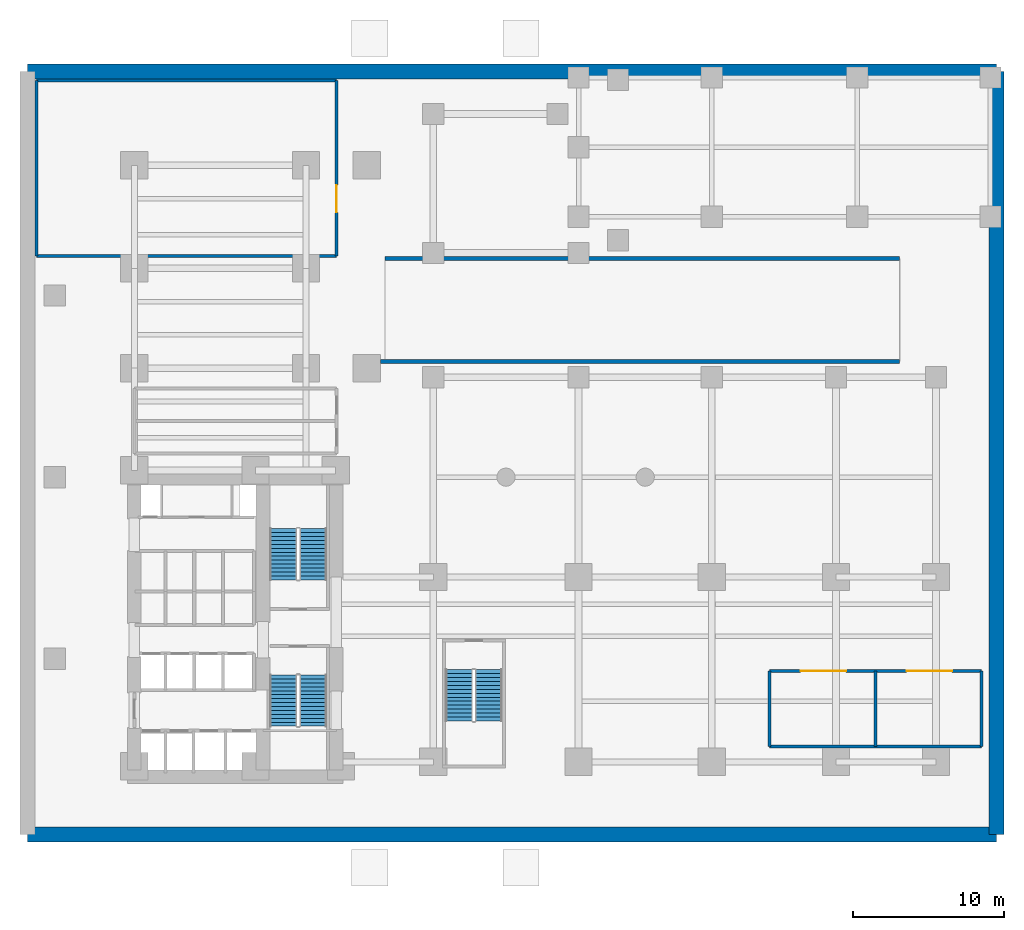
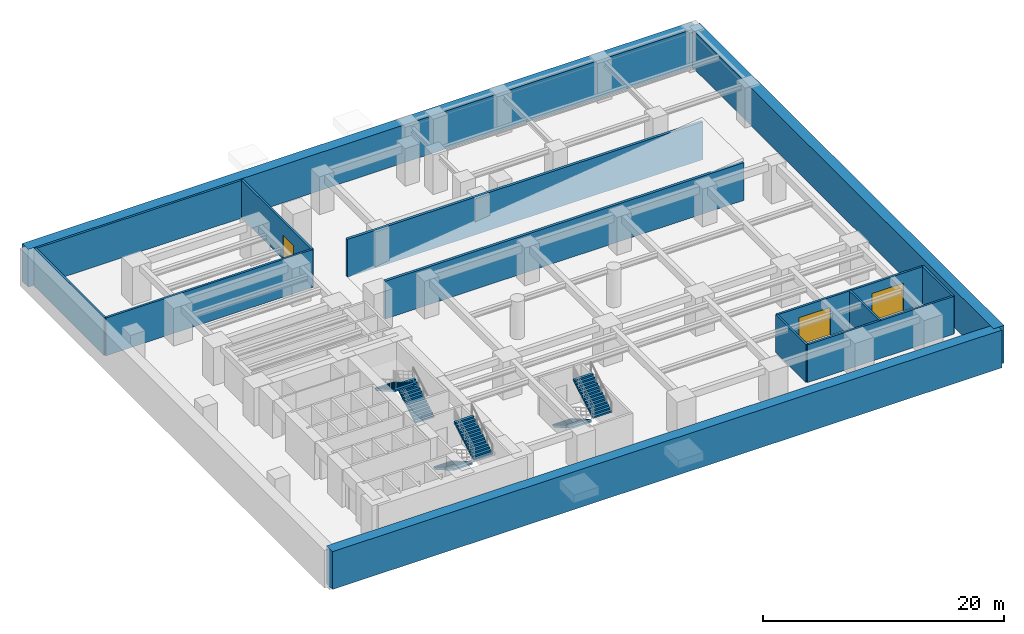
# One storey, part 4 of 5: 14 walls, 6 stair flights, 3 doors, 3 openings, 3 elements without a shape of their own.
"""IFC4 building model written with IfcOpenShell, lengths in metres."""

from ifc_helpers import new_model, si_unit, direction, frame, frame_2d, origin, place, context, subcontext, project, spatial, polyline, rectangle, outline, extrude, material, layer, layer_set, type_object, element, fill, aggregate, save


model = new_model("IFC4")

# Units and contexts
model_context = context("Model", 3, precision=1e-05, world=origin(), true_north=direction((0.0, 1.0)))
body_context = subcontext(model_context, "Body", "Model", "MODEL_VIEW")
ifc_project = project(units=[si_unit("LENGTHUNIT", "METRE"), si_unit("AREAUNIT", "SQUARE_METRE"), si_unit("VOLUMEUNIT", "CUBIC_METRE"), si_unit("PLANEANGLEUNIT", "RADIAN"), si_unit("MASSUNIT", "GRAM", prefix="KILO")], contexts=[model_context])

# Site, building, storey
site_placement = place(None, origin())
site = spatial("IfcSite", under=ifc_project, at=site_placement, CompositionType="ELEMENT")
building_placement = place(site_placement, origin())
building = spatial("IfcBuilding", under=site, at=building_placement, Name="Kolvaren Waterfront Exchange", CompositionType="ELEMENT")
storey_placement = place(building_placement, frame((0.0, 0.0, -4.199951171875)))
storey = spatial("IfcBuildingStorey", under=building, at=storey_placement, Name="B01", CompositionType="ELEMENT", Elevation=-4.199951171875)

# Wall, openings, doors
ifc_material_1 = material(Name="Precast concrete C40/50", Category="concrete")
ifc_layer_1 = layer(ifc_material_1, 0.199951171875, Name="Precast concrete C40/50")
ifc_layer_set_1 = layer_set([ifc_layer_1], Name="Precast concrete C40/50")
wall_type_1 = type_object("IfcWallType", Name="ARC-FIRE-200", PredefinedType="PARTITIONING", material=ifc_layer_set_1)
wall_1_placement = place(storey_placement, frame((49.39990234375, 11.199951171875, 0.0), z_axis=(0.0, 0.0, 1.0), x_axis=(1.0, 0.0, 0.0)))
wall_1 = element("IfcWall", 1, at=wall_1_placement, inside=storey, type_object=wall_type_1, Name="B01 interior wall PW-B01-EQBAY-N", PredefinedType="PARTITIONING", context=body_context, shape_type="SweptSolid", body=[
    extrude(rectangle(XDim=14.0, YDim=0.199951171875, at=frame_2d((7.0, 0.0))), origin(), (0.0, 0.0, 1.0), 3.820068359375),
])
opening_1_placement = place(wall_1_placement, frame((2.0732421875, 0.0, 0.0)))
opening_1 = element("IfcOpeningElement", 2, at=opening_1_placement, cuts=wall_1, Name="Opening VG2", PredefinedType="OPENING", context=body_context, shape_type="SweptSolid", body=[
    extrude(rectangle(XDim=3.0, YDim=2.800048828125, at=frame_2d((1.5, 1.39990234375))), frame((0.0, 0.10986328125, 0.0), z_axis=(0.0, -1.0, 0.0), x_axis=(1.0, 0.0, 0.0)), (0.0, 0.0, 1.0), 0.219970703125),
])
opening_2_placement = place(wall_1_placement, frame((9.0732421875, 0.0, 0.0)))
opening_2 = element("IfcOpeningElement", 3, at=opening_2_placement, cuts=wall_1, Name="Opening VG2", PredefinedType="OPENING", context=body_context, shape_type="SweptSolid", body=[
    extrude(rectangle(XDim=3.0, YDim=2.800048828125, at=frame_2d((1.5, 1.39990234375))), frame((0.0, 0.10986328125, 0.0), z_axis=(0.0, -1.0, 0.0), x_axis=(1.0, 0.0, 0.0)), (0.0, 0.0, 1.0), 0.219970703125),
])
ifc_material_2 = material(Name="Anodised aluminium security slats", Category="aluminium")
door_type_1 = type_object("IfcDoorType", Name="ARC-GATE-SVC", OperationType="ROLLINGUP", PredefinedType="GATE", material=ifc_material_2)
door_1_placement = place(opening_1_placement, origin())
door_1 = element("IfcDoor", 4, at=door_1_placement, inside=storey, type_object=door_type_1, Name="B01 door DR-B01-EQ-G1 (VG2)", OperationType="ROLLINGUP", OverallHeight=2.800048828125, OverallWidth=3.0, PredefinedType="GATE", context=body_context, shape_type="SweptSolid", body=[
    extrude(rectangle(XDim=3.0, YDim=2.800048828125, at=frame_2d((1.5, 1.39990234375))), frame((0.0, 0.02490234375, 0.0), z_axis=(0.0, -1.0, 0.0), x_axis=(1.0, 0.0, 0.0)), (0.0, 0.0, 1.0), 0.050048828125),
])
fill(opening_1, door_1)
door_2_placement = place(opening_2_placement, origin())
door_2 = element("IfcDoor", 5, at=door_2_placement, inside=storey, type_object=door_type_1, Name="B01 door DR-B01-EQ-G2 (VG2)", OperationType="ROLLINGUP", OverallHeight=2.800048828125, OverallWidth=3.0, PredefinedType="GATE", context=body_context, shape_type="SweptSolid", body=[
    extrude(rectangle(XDim=3.0, YDim=2.800048828125, at=frame_2d((1.5, 1.39990234375))), frame((0.0, 0.02490234375, 0.0), z_axis=(0.0, -1.0, 0.0), x_axis=(1.0, 0.0, 0.0)), (0.0, 0.0, 1.0), 0.050048828125),
])
fill(opening_2, door_2)

# Walls
wall_2_placement = place(storey_placement, frame((49.39990234375, 6.199951171875, 0.0), z_axis=(0.0, 0.0, 1.0), x_axis=(0.0, 1.0, 0.0)))
element("IfcWall", 6, at=wall_2_placement, inside=storey, type_object=wall_type_1, Name="B01 interior wall PW-B01-EQBAY-W", PredefinedType="PARTITIONING", context=body_context, shape_type="SweptSolid", body=[
    extrude(rectangle(XDim=5.0, YDim=0.199951171875, at=frame_2d((2.5, 0.0))), origin(), (0.0, 0.0, 1.0), 3.820068359375),
])
wall_3_placement = place(storey_placement, frame((49.39990234375, 6.199951171875, 0.0), z_axis=(0.0, 0.0, 1.0), x_axis=(1.0, 0.0, 0.0)))
element("IfcWall", 7, at=wall_3_placement, inside=storey, type_object=wall_type_1, Name="B01 interior wall PW-B01-EQBAY-S", PredefinedType="PARTITIONING", context=body_context, shape_type="SweptSolid", body=[
    extrude(rectangle(XDim=14.0, YDim=0.199951171875, at=frame_2d((7.0, 0.0))), origin(), (0.0, 0.0, 1.0), 3.820068359375),
])
for number, where, z_axis, x_axis, name in (
    (8, (63.39990234375, 6.199951171875, 0.0), (0.0, 0.0, 1.0), (0.0, 1.0, 0.0), "B01 interior wall PW-B01-EQBAY-E"),
    (9, (56.39990234375, 6.199951171875, 0.0), (0.0, 0.0, 1.0), (0.0, 1.0, 0.0), "B01 interior wall PW-B01-EQBAY-MID"),
):
    element("IfcWall", number, at=place(storey_placement, frame(where, z_axis=z_axis, x_axis=x_axis)), inside=storey, type_object=wall_type_1, Name=name, PredefinedType="PARTITIONING", context=body_context, shape_type="SweptSolid", body=[
        extrude(rectangle(XDim=5.0, YDim=0.199951171875, at=frame_2d((2.5, 0.0))), origin(), (0.0, 0.0, 1.0), 3.820068359375),
    ])
wall_4_placement = place(storey_placement, frame((1.0, 38.60009765625, 0.0), z_axis=(0.0, 0.0, 1.0), x_axis=(1.0, 0.0, 0.0)))
element("IfcWall", 10, at=wall_4_placement, inside=storey, type_object=wall_type_1, Name="B01 interior wall PW-B01-LOAD-S", PredefinedType="PARTITIONING", context=body_context, shape_type="SweptSolid", body=[
    extrude(rectangle(XDim=19.800048828125, YDim=0.199951171875, at=frame_2d((9.89990234375, 0.0))), origin(), (0.0, 0.0, 1.0), 3.820068359375),
])
wall_5_placement = place(storey_placement, frame((1.0, 38.60009765625, 0.0), z_axis=(0.0, 0.0, 1.0), x_axis=(0.0, 1.0, 0.0)))
element("IfcWall", 11, at=wall_5_placement, inside=storey, type_object=wall_type_1, Name="B01 interior wall PW-B01-LOAD-W", PredefinedType="PARTITIONING", context=body_context, shape_type="SweptSolid", body=[
    extrude(rectangle(XDim=11.599853515625, YDim=0.199951171875, at=frame_2d((5.7998046875, 0.0))), origin(), (0.0, 0.0, 1.0), 3.820068359375),
])
wall_6_placement = place(storey_placement, frame((1.0, 50.199951171875, 0.0), z_axis=(0.0, 0.0, 1.0), x_axis=(1.0, 0.0, 0.0)))
element("IfcWall", 12, at=wall_6_placement, inside=storey, type_object=wall_type_1, Name="B01 interior wall PW-B01-LOAD-N", PredefinedType="PARTITIONING", context=body_context, shape_type="SweptSolid", body=[
    extrude(rectangle(XDim=19.800048828125, YDim=0.199951171875, at=frame_2d((9.89990234375, 0.0))), origin(), (0.0, 0.0, 1.0), 3.820068359375),
])

# Wall, opening, door
wall_7_placement = place(storey_placement, frame((20.800048828125, 38.60009765625, 0.0), z_axis=(0.0, 0.0, 1.0), x_axis=(0.0, 1.0, 0.0)))
wall_7 = element("IfcWall", 13, at=wall_7_placement, inside=storey, type_object=wall_type_1, Name="B01 interior wall PW-B01-LOAD-E", PredefinedType="PARTITIONING", context=body_context, shape_type="SweptSolid", body=[
    extrude(rectangle(XDim=11.599853515625, YDim=0.199951171875, at=frame_2d((5.7998046875, 0.0))), origin(), (0.0, 0.0, 1.0), 3.820068359375),
])
opening_3_placement = place(wall_7_placement, frame((2.888916015625, 0.0, 0.0)))
opening_3 = element("IfcOpeningElement", 14, at=opening_3_placement, cuts=wall_7, Name="Opening FD4", PredefinedType="OPENING", context=body_context, shape_type="SweptSolid", body=[
    extrude(rectangle(XDim=1.800048828125, YDim=2.39990234375, at=frame_2d((0.89990234375, 1.199951171875))), frame((0.0, 0.10986328125, 0.0), z_axis=(0.0, -1.0, 0.0), x_axis=(1.0, 0.0, 0.0)), (0.0, 0.0, 1.0), 0.219970703125),
])
ifc_material_3 = material(Name="Pressed steel double fire door", Category="steel")
door_type_2 = type_object("IfcDoorType", Name="ARC-FD-1800", OperationType="NOTDEFINED", PredefinedType="DOOR", material=ifc_material_3)
door_3_placement = place(opening_3_placement, origin())
door_3 = element("IfcDoor", 15, at=door_3_placement, inside=storey, type_object=door_type_2, Name="B01 door DR-B01-LOAD-DR (FD4)", OperationType="SINGLE_SWING_LEFT", OverallHeight=2.39990234375, OverallWidth=1.800048828125, PredefinedType="DOOR", context=body_context, shape_type="SweptSolid", body=[
    extrude(rectangle(XDim=1.800048828125, YDim=2.39990234375, at=frame_2d((0.89990234375, 1.199951171875))), frame((0.0, 0.02490234375, 0.0), z_axis=(0.0, -1.0, 0.0), x_axis=(1.0, 0.0, 0.0)), (0.0, 0.0, 1.0), 0.050048828125),
])
fill(opening_3, door_3)

# Walls
ifc_material_4 = material(Name="Concrete C40/50", Category="concrete")
ifc_layer_2 = layer(ifc_material_4, 1.0, Name="Concrete C40/50")
ifc_layer_set_2 = layer_set([ifc_layer_2], Name="Concrete C40/50")
wall_type_2 = type_object("IfcWallType", Name="STR-DWALL-1000", PredefinedType="USERDEFINED", material=ifc_layer_set_2)
wall_8_placement = place(storey_placement, frame((0.39990234375, 0.39990234375, 0.0), z_axis=(0.0, 0.0, 1.0), x_axis=(1.0, 0.0, 0.0)))
element("IfcWall", 16, at=wall_8_placement, inside=storey, type_object=wall_type_2, Name="B01 S diaphragm retaining wall", ObjectType="RETAININGWALL", PredefinedType="USERDEFINED", context=body_context, shape_type="SweptSolid", body=[
    extrude(rectangle(XDim=64.0, YDim=1.0, at=frame_2d((32.0, 0.0))), origin(), (0.0, 0.0, 1.0), 3.820068359375),
])
wall_9_placement = place(storey_placement, frame((64.39990234375, 0.39990234375, 0.0), z_axis=(0.0, 0.0, 1.0), x_axis=(0.0, 1.0, 0.0)))
element("IfcWall", 17, at=wall_9_placement, inside=storey, type_object=wall_type_2, Name="B01 E diaphragm retaining wall", ObjectType="RETAININGWALL", PredefinedType="USERDEFINED", context=body_context, shape_type="SweptSolid", body=[
    extrude(rectangle(XDim=50.400146484375, YDim=1.0, at=frame_2d((25.2001953125, 0.0))), origin(), (0.0, 0.0, 1.0), 3.820068359375),
])
wall_10_placement = place(storey_placement, frame((64.39990234375, 50.800048828125, 0.0), z_axis=(0.0, 0.0, 1.0), x_axis=(-1.0, 0.0, 0.0)))
element("IfcWall", 18, at=wall_10_placement, inside=storey, type_object=wall_type_2, Name="B01 N diaphragm retaining wall", ObjectType="RETAININGWALL", PredefinedType="USERDEFINED", context=body_context, shape_type="SweptSolid", body=[
    extrude(rectangle(XDim=64.0, YDim=1.0, at=frame_2d((32.0, 0.0))), origin(), (0.0, 0.0, 1.0), 3.820068359375),
])
ifc_layer_3 = layer(ifc_material_4, 0.25, Name="Concrete C40/50")
ifc_layer_set_3 = layer_set([ifc_layer_3], Name="Concrete C40/50")
wall_type_3 = type_object("IfcWallType", Name="STR-RWALL-250", PredefinedType="SOLIDWALL", material=ifc_layer_set_3)
wall_11_placement = place(storey_placement, frame((23.699951171875, 31.64990234375, 0.0), z_axis=(0.0, 0.0, 1.0), x_axis=(1.0, 0.0, 0.0)))
element("IfcWall", 19, at=wall_11_placement, inside=storey, type_object=wall_type_3, Name="B01 vehicle ramp south bearing wall", PredefinedType="SOLIDWALL", context=body_context, shape_type="SweptSolid", body=[
    extrude(rectangle(XDim=34.300048828125, YDim=0.25, at=frame_2d((17.14990234375, 0.0))), origin(), (0.0, 0.0, 1.0), 3.820068359375),
])
wall_12_placement = place(storey_placement, frame((24.0, 38.449951171875, 0.0), z_axis=(0.0, 0.0, 1.0), x_axis=(1.0, 0.0, 0.0)))
element("IfcWall", 20, at=wall_12_placement, inside=storey, type_object=wall_type_3, Name="B01 vehicle ramp north bearing wall", PredefinedType="SOLIDWALL", context=body_context, shape_type="SweptSolid", body=[
    extrude(rectangle(XDim=34.0, YDim=0.25, at=frame_2d((17.0, 0.0))), origin(), (0.0, 0.0, 1.0), 3.820068359375),
])

# Stair, stair flights
stair_type = type_object("IfcStairType", Name="ARC-STAIR-4200", PredefinedType="HALF_TURN_STAIR", material=ifc_material_4)
stair_1_placement = place(storey_placement, origin())
stair_1 = element("IfcStair", 21, at=stair_1_placement, inside=storey, type_object=stair_type, Name="B01 Smoke-proof exit stair ST1", PredefinedType="HALF_TURN_STAIR")
stair_flight_type = type_object("IfcStairFlightType", Name="ARC-FLIGHT-4200", PredefinedType="STRAIGHT", material=ifc_material_4)
stair_flight_1_placement = place(storey_placement, frame((17.300048828125, 10.929931640625, 0.0), z_axis=(0.0, 0.0, 1.0), x_axis=(0.0, -1.0, 0.0)))
stair_flight_1 = element("IfcStairFlight", 22, at=stair_flight_1_placement, type_object=stair_flight_type, Name="ST1 flight 1", NumberOfRisers=14, NumberOfTreads=13, PredefinedType="STRAIGHT", RiserHeight=0.15, TreadLength=0.26, context=body_context, shape_type="SweptSolid", body=[
    extrude(outline(polyline([(0.0, 0.0), (0.0, 0.14990234375), (0.260009765625, 0.14990234375), (0.260009765625, 0.300048828125), (0.52001953125, 0.300048828125), (0.52001953125, 0.449951171875), (0.780029296875, 0.449951171875), (0.780029296875, 0.60009765625), (1.0400390625, 0.60009765625), (1.0400390625, 0.75), (1.300048828125, 0.75), (1.300048828125, 0.89990234375), (1.56005859375, 0.89990234375), (1.56005859375, 1.050048828125), (1.820068359375, 1.050048828125), (1.820068359375, 1.199951171875), (2.080078125, 1.199951171875), (2.080078125, 1.35009765625), (2.340087890625, 1.35009765625), (2.340087890625, 1.5), (2.60009765625, 1.5), (2.60009765625, 1.64990234375), (2.860107421875, 1.64990234375), (2.860107421875, 1.800048828125), (3.1201171875, 1.800048828125), (3.1201171875, 1.949951171875), (3.3798828125, 1.949951171875), (3.3798828125, 2.10009765625), (3.3798828125, 1.77685546875), (0.300048828125, 0.0), (0.0, 0.0)])), frame((0.0, 0.89990234375, 0.0), z_axis=(0.0, -1.0, 0.0), x_axis=(1.0, 0.0, 0.0)), (0.0, 0.0, 1.0), 1.800048828125),
])
stair_flight_2_placement = place(storey_placement, frame((19.260009765625, 7.550048828125, 2.099853515625), z_axis=(0.0, 0.0, 1.0), x_axis=(0.0, 1.0, 0.0)))
stair_flight_2 = element("IfcStairFlight", 23, at=stair_flight_2_placement, type_object=stair_flight_type, Name="ST1 flight 2", NumberOfRisers=14, NumberOfTreads=13, PredefinedType="STRAIGHT", RiserHeight=0.15, TreadLength=0.26, context=body_context, shape_type="SweptSolid", body=[
    extrude(outline(polyline([(0.0, 0.0), (0.0, 0.14990234375), (0.260009765625, 0.14990234375), (0.260009765625, 0.300048828125), (0.52001953125, 0.300048828125), (0.52001953125, 0.449951171875), (0.780029296875, 0.449951171875), (0.780029296875, 0.60009765625), (1.0400390625, 0.60009765625), (1.0400390625, 0.75), (1.300048828125, 0.75), (1.300048828125, 0.89990234375), (1.56005859375, 0.89990234375), (1.56005859375, 1.050048828125), (1.820068359375, 1.050048828125), (1.820068359375, 1.199951171875), (2.080078125, 1.199951171875), (2.080078125, 1.35009765625), (2.340087890625, 1.35009765625), (2.340087890625, 1.5), (2.60009765625, 1.5), (2.60009765625, 1.64990234375), (2.860107421875, 1.64990234375), (2.860107421875, 1.800048828125), (3.1201171875, 1.800048828125), (3.1201171875, 1.949951171875), (3.3798828125, 1.949951171875), (3.3798828125, 2.10009765625), (3.3798828125, 1.77685546875), (0.300048828125, 0.0), (0.0, 0.0)])), frame((0.0, 0.89990234375, 0.0), z_axis=(0.0, -1.0, 0.0), x_axis=(1.0, 0.0, 0.0)), (0.0, 0.0, 1.0), 1.800048828125),
])
aggregate(stair_1, [stair_flight_1, stair_flight_2])

stair_2_placement = place(storey_placement, origin())
stair_2 = element("IfcStair", 24, at=stair_2_placement, inside=storey, type_object=stair_type, Name="B01 Smoke-proof exit stair ST2", PredefinedType="HALF_TURN_STAIR")
stair_flight_3_placement = place(storey_placement, frame((19.260009765625, 17.219970703125, 0.0), z_axis=(0.0, 0.0, 1.0), x_axis=(0.0, 1.0, 0.0)))
stair_flight_3 = element("IfcStairFlight", 25, at=stair_flight_3_placement, type_object=stair_flight_type, Name="ST2 flight 1", NumberOfRisers=14, NumberOfTreads=13, PredefinedType="STRAIGHT", RiserHeight=0.15, TreadLength=0.26, context=body_context, shape_type="SweptSolid", body=[
    extrude(outline(polyline([(0.0, 0.0), (0.0, 0.14990234375), (0.260009765625, 0.14990234375), (0.260009765625, 0.300048828125), (0.52001953125, 0.300048828125), (0.52001953125, 0.449951171875), (0.780029296875, 0.449951171875), (0.780029296875, 0.60009765625), (1.0400390625, 0.60009765625), (1.0400390625, 0.75), (1.300048828125, 0.75), (1.300048828125, 0.89990234375), (1.56005859375, 0.89990234375), (1.56005859375, 1.050048828125), (1.820068359375, 1.050048828125), (1.820068359375, 1.199951171875), (2.080078125, 1.199951171875), (2.080078125, 1.35009765625), (2.340087890625, 1.35009765625), (2.340087890625, 1.5), (2.60009765625, 1.5), (2.60009765625, 1.64990234375), (2.860107421875, 1.64990234375), (2.860107421875, 1.800048828125), (3.1201171875, 1.800048828125), (3.1201171875, 1.949951171875), (3.3798828125, 1.949951171875), (3.3798828125, 2.10009765625), (3.3798828125, 1.77685546875), (0.300048828125, 0.0), (0.0, 0.0)])), frame((0.0, 0.89990234375, 0.0), z_axis=(0.0, -1.0, 0.0), x_axis=(1.0, 0.0, 0.0)), (0.0, 0.0, 1.0), 1.800048828125),
])
stair_flight_4_placement = place(storey_placement, frame((17.300048828125, 20.60009765625, 2.099853515625), z_axis=(0.0, 0.0, 1.0), x_axis=(0.0, -1.0, 0.0)))
stair_flight_4 = element("IfcStairFlight", 26, at=stair_flight_4_placement, type_object=stair_flight_type, Name="ST2 flight 2", NumberOfRisers=14, NumberOfTreads=13, PredefinedType="STRAIGHT", RiserHeight=0.15, TreadLength=0.26, context=body_context, shape_type="SweptSolid", body=[
    extrude(outline(polyline([(0.0, 0.0), (0.0, 0.14990234375), (0.260009765625, 0.14990234375), (0.260009765625, 0.300048828125), (0.52001953125, 0.300048828125), (0.52001953125, 0.449951171875), (0.780029296875, 0.449951171875), (0.780029296875, 0.60009765625), (1.0400390625, 0.60009765625), (1.0400390625, 0.75), (1.300048828125, 0.75), (1.300048828125, 0.89990234375), (1.56005859375, 0.89990234375), (1.56005859375, 1.050048828125), (1.820068359375, 1.050048828125), (1.820068359375, 1.199951171875), (2.080078125, 1.199951171875), (2.080078125, 1.35009765625), (2.340087890625, 1.35009765625), (2.340087890625, 1.5), (2.60009765625, 1.5), (2.60009765625, 1.64990234375), (2.860107421875, 1.64990234375), (2.860107421875, 1.800048828125), (3.1201171875, 1.800048828125), (3.1201171875, 1.949951171875), (3.3798828125, 1.949951171875), (3.3798828125, 2.10009765625), (3.3798828125, 1.77685546875), (0.300048828125, 0.0), (0.0, 0.0)])), frame((0.0, 0.89990234375, 0.0), z_axis=(0.0, -1.0, 0.0), x_axis=(1.0, 0.0, 0.0)), (0.0, 0.0, 1.0), 1.800048828125),
])
aggregate(stair_2, [stair_flight_3, stair_flight_4])

stair_3_placement = place(storey_placement, origin())
stair_3 = element("IfcStair", 27, at=stair_3_placement, inside=storey, type_object=stair_type, Name="B01 Exit stair ST3", PredefinedType="HALF_TURN_STAIR")
stair_flight_5_placement = place(storey_placement, frame((28.89990234375, 11.280029296875, 0.0), z_axis=(0.0, 0.0, 1.0), x_axis=(0.0, -1.0, 0.0)))
stair_flight_5 = element("IfcStairFlight", 28, at=stair_flight_5_placement, type_object=stair_flight_type, Name="ST3 flight 1", NumberOfRisers=14, NumberOfTreads=13, PredefinedType="STRAIGHT", RiserHeight=0.15, TreadLength=0.26, context=body_context, shape_type="SweptSolid", body=[
    extrude(outline(polyline([(0.0, 0.0), (0.0, 0.14990234375), (0.260009765625, 0.14990234375), (0.260009765625, 0.300048828125), (0.52001953125, 0.300048828125), (0.52001953125, 0.449951171875), (0.780029296875, 0.449951171875), (0.780029296875, 0.60009765625), (1.0400390625, 0.60009765625), (1.0400390625, 0.75), (1.300048828125, 0.75), (1.300048828125, 0.89990234375), (1.56005859375, 0.89990234375), (1.56005859375, 1.050048828125), (1.820068359375, 1.050048828125), (1.820068359375, 1.199951171875), (2.080078125, 1.199951171875), (2.080078125, 1.35009765625), (2.340087890625, 1.35009765625), (2.340087890625, 1.5), (2.60009765625, 1.5), (2.60009765625, 1.64990234375), (2.860107421875, 1.64990234375), (2.860107421875, 1.800048828125), (3.1201171875, 1.800048828125), (3.1201171875, 1.949951171875), (3.3798828125, 1.949951171875), (3.3798828125, 2.10009765625), (3.3798828125, 1.77685546875), (0.300048828125, 0.0), (0.0, 0.0)])), frame((0.0, 0.89990234375, 0.0), z_axis=(0.0, -1.0, 0.0), x_axis=(1.0, 0.0, 0.0)), (0.0, 0.0, 1.0), 1.800048828125),
])
stair_flight_6_placement = place(storey_placement, frame((30.860107421875, 7.89990234375, 2.099853515625), z_axis=(0.0, 0.0, 1.0), x_axis=(0.0, 1.0, 0.0)))
stair_flight_6 = element("IfcStairFlight", 29, at=stair_flight_6_placement, type_object=stair_flight_type, Name="ST3 flight 2", NumberOfRisers=14, NumberOfTreads=13, PredefinedType="STRAIGHT", RiserHeight=0.15, TreadLength=0.26, context=body_context, shape_type="SweptSolid", body=[
    extrude(outline(polyline([(0.0, 0.0), (0.0, 0.14990234375), (0.260009765625, 0.14990234375), (0.260009765625, 0.300048828125), (0.52001953125, 0.300048828125), (0.52001953125, 0.449951171875), (0.780029296875, 0.449951171875), (0.780029296875, 0.60009765625), (1.0400390625, 0.60009765625), (1.0400390625, 0.75), (1.300048828125, 0.75), (1.300048828125, 0.89990234375), (1.56005859375, 0.89990234375), (1.56005859375, 1.050048828125), (1.820068359375, 1.050048828125), (1.820068359375, 1.199951171875), (2.080078125, 1.199951171875), (2.080078125, 1.35009765625), (2.340087890625, 1.35009765625), (2.340087890625, 1.5), (2.60009765625, 1.5), (2.60009765625, 1.64990234375), (2.860107421875, 1.64990234375), (2.860107421875, 1.800048828125), (3.1201171875, 1.800048828125), (3.1201171875, 1.949951171875), (3.3798828125, 1.949951171875), (3.3798828125, 2.10009765625), (3.3798828125, 1.77685546875), (0.300048828125, 0.0), (0.0, 0.0)])), frame((0.0, 0.89990234375, 0.0), z_axis=(0.0, -1.0, 0.0), x_axis=(1.0, 0.0, 0.0)), (0.0, 0.0, 1.0), 1.800048828125),
])
aggregate(stair_3, [stair_flight_5, stair_flight_6])

save(model, "model.ifc")
